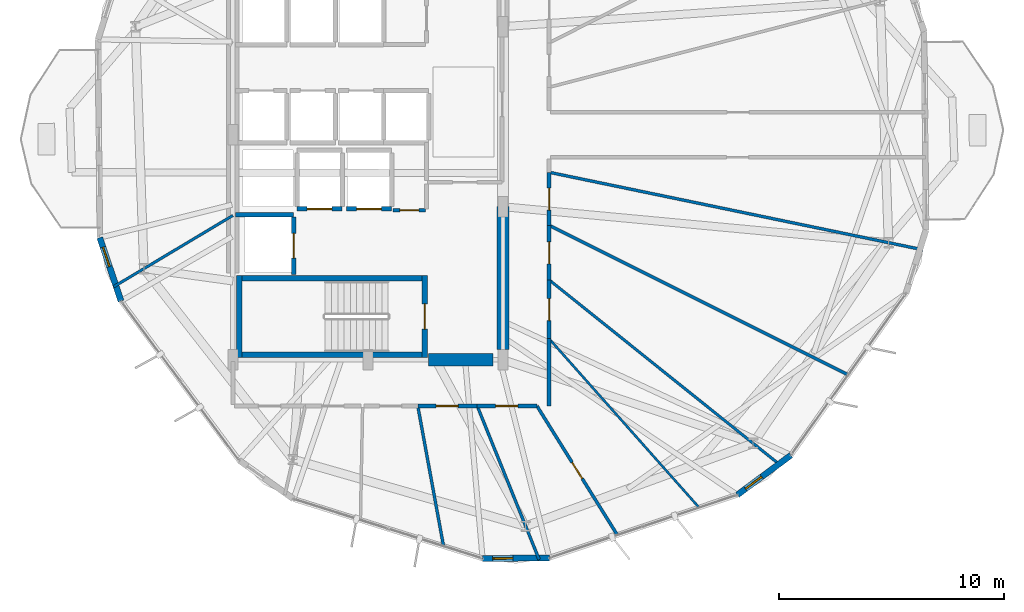
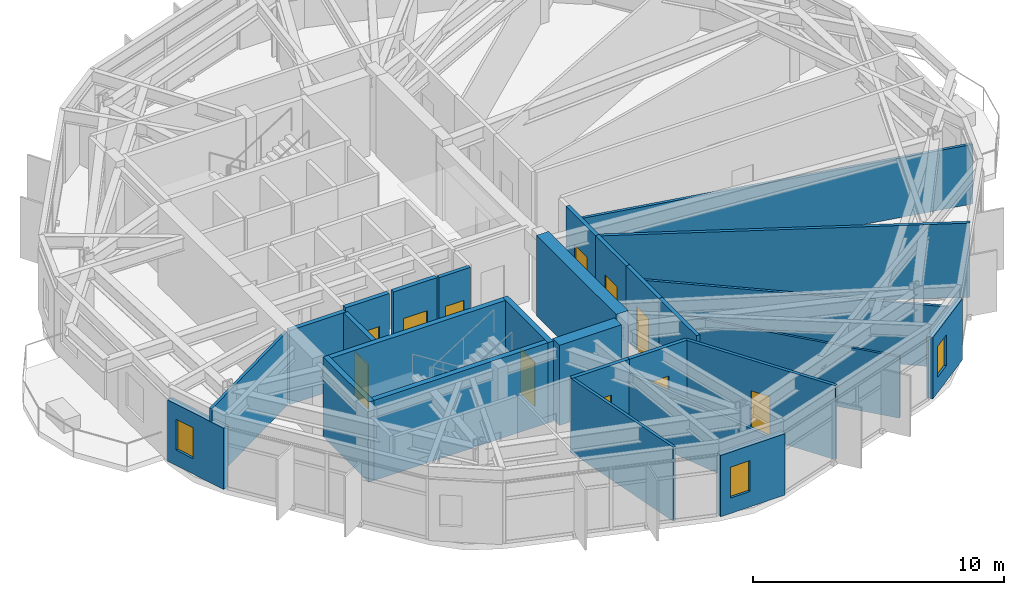
# One storey, part 21 of 27: 28 walls, 11 doors, 3 windows, 14 openings.
"""IFC4 building model written with IfcOpenShell, lengths in metres."""

from ifc_helpers import new_model, si_unit, direction, frame, frame_2d, origin, place, context, subcontext, project, spatial, rectangle, extrude, material, layer, layer_set, type_object, element, fill, save


model = new_model("IFC4")

# Units and contexts
model_context = context("Model", 3, precision=1e-05, world=origin(), true_north=direction((0.0, 1.0)))
body_context = subcontext(model_context, "Body", "Model", "MODEL_VIEW")
ifc_project = project(units=[si_unit("LENGTHUNIT", "METRE"), si_unit("AREAUNIT", "SQUARE_METRE"), si_unit("VOLUMEUNIT", "CUBIC_METRE"), si_unit("PLANEANGLEUNIT", "RADIAN"), si_unit("MASSUNIT", "GRAM", prefix="KILO")], contexts=[model_context])

# Site, building, storey
site_placement = place(None, origin())
site = spatial("IfcSite", under=ifc_project, at=site_placement, CompositionType="ELEMENT")
building_placement = place(site_placement, origin())
building = spatial("IfcBuilding", under=site, at=building_placement, Name="Soratama Intermodal Tower", CompositionType="ELEMENT")
storey_placement = place(building_placement, frame((0.0, 0.0, 103.0)))
storey = spatial("IfcBuildingStorey", under=building, at=storey_placement, Name="L24", CompositionType="ELEMENT", Elevation=103.0)

# Wall, opening, window
ifc_material_1 = material(Name="Concrete f'c 42 MPa", Category="concrete")
ifc_layer_1 = layer(ifc_material_1, 0.27001953125)
ifc_layer_set_1 = layer_set([ifc_layer_1], Name="Concrete f'c 42 MPa")
wall_type_1 = type_object("IfcWallType", Name="EW-CRN-270", PredefinedType="SOLIDWALL", material=ifc_layer_set_1)
wall_1_placement = place(storey_placement, frame((26.6904296875, 20.424072265625, 0.0), z_axis=(0.0, 0.0, 1.0), x_axis=(0.317980066672, -0.948097398583, 0.0)))
wall_1 = element("IfcWall", 1, at=wall_1_placement, inside=storey, type_object=wall_type_1, Name="L24 Corner Closure Wall 05", PredefinedType="SOLIDWALL", context=body_context, shape_type="SweptSolid", body=[
    extrude(rectangle(XDim=2.966796875, YDim=0.27001953125, at=frame_2d((1.4833984375, 0.0))), origin(), (0.0, 0.0, 1.0), 2.97900390625),
])
opening_1_placement = place(wall_1_placement, frame((0.449951171875, 0.0, 0.75)))
opening_1 = element("IfcOpeningElement", 2, at=opening_1_placement, cuts=wall_1, Name="Opening WN-6", PredefinedType="OPENING", context=body_context, shape_type="SweptSolid", body=[
    extrude(rectangle(XDim=0.89990234375, YDim=1.5, at=frame_2d((0.449951171875, 0.75))), frame((0.0, 0.14501953125, 0.0), z_axis=(0.0, -1.0, 0.0), x_axis=(1.0, 0.0, 0.0)), (0.0, 0.0, 1.0), 0.2900390625),
])
ifc_material_2 = material(Name="Double-glazed aluminium window", Category="aluminium")
window_type = type_object("IfcWindowType", Name="WN-FAC-900", PartitioningType="SINGLE_PANEL", PredefinedType="WINDOW", material=ifc_material_2)
window_1_placement = place(opening_1_placement, origin())
window_1 = element("IfcWindow", 3, at=window_1_placement, inside=storey, type_object=window_type, Name="L24 Corner Window 05", OverallHeight=1.5, OverallWidth=0.89990234375, PartitioningType="SINGLE_PANEL", PredefinedType="WINDOW", context=body_context, shape_type="SweptSolid", body=[
    extrude(rectangle(XDim=0.89990234375, YDim=1.5, at=frame_2d((0.449951171875, 0.75))), frame((0.0, 0.030029296875, 0.0), z_axis=(0.0, -1.0, 0.0), x_axis=(1.0, 0.0, 0.0)), (0.0, 0.0, 1.0), 0.06005859375),
])
fill(opening_1, window_1)

wall_2_placement = place(storey_placement, frame((43.694091796875, 6.172607421875, 0.0), z_axis=(0.0, 0.0, 1.0), x_axis=(0.999955985226, 0.009382303071, 0.0)))
wall_2 = element("IfcWall", 4, at=wall_2_placement, inside=storey, type_object=wall_type_1, Name="L24 Corner Closure Wall 07", PredefinedType="SOLIDWALL", context=body_context, shape_type="SweptSolid", body=[
    extrude(rectangle(XDim=2.966552734375, YDim=0.27001953125, at=frame_2d((1.4833984375, 0.0))), origin(), (0.0, 0.0, 1.0), 2.97900390625),
])
opening_2_placement = place(wall_2_placement, frame((0.449951171875, 0.0, 0.75)))
opening_2 = element("IfcOpeningElement", 5, at=opening_2_placement, cuts=wall_2, Name="Opening WN-6", PredefinedType="OPENING", context=body_context, shape_type="SweptSolid", body=[
    extrude(rectangle(XDim=0.89990234375, YDim=1.5, at=frame_2d((0.449951171875, 0.75))), frame((0.0, 0.14501953125, 0.0), z_axis=(0.0, -1.0, 0.0), x_axis=(1.0, 0.0, 0.0)), (0.0, 0.0, 1.0), 0.2900390625),
])
window_2_placement = place(opening_2_placement, origin())
window_2 = element("IfcWindow", 6, at=window_2_placement, inside=storey, type_object=window_type, Name="L24 Corner Window 07", OverallHeight=1.5, OverallWidth=0.89990234375, PartitioningType="SINGLE_PANEL", PredefinedType="WINDOW", context=body_context, shape_type="SweptSolid", body=[
    extrude(rectangle(XDim=0.89990234375, YDim=1.5, at=frame_2d((0.449951171875, 0.75))), frame((0.0, 0.030029296875, 0.0), z_axis=(0.0, -1.0, 0.0), x_axis=(1.0, 0.0, 0.0)), (0.0, 0.0, 1.0), 0.06005859375),
])
fill(opening_2, window_2)

wall_3_placement = place(storey_placement, frame((55.010009765625, 9.00048828125, 0.0), z_axis=(0.0, 0.0, 1.0), x_axis=(0.803433261612, 0.595394822059, 0.0)))
wall_3 = element("IfcWall", 7, at=wall_3_placement, inside=storey, type_object=wall_type_1, Name="L24 Corner Closure Wall 08", PredefinedType="SOLIDWALL", context=body_context, shape_type="SweptSolid", body=[
    extrude(rectangle(XDim=2.966796875, YDim=0.27001953125, at=frame_2d((1.4833984375, 0.0))), origin(), (0.0, 0.0, 1.0), 2.97900390625),
])
opening_3_placement = place(wall_3_placement, frame((0.449951171875, 0.0, 0.75)))
opening_3 = element("IfcOpeningElement", 8, at=opening_3_placement, cuts=wall_3, Name="Opening WN-6", PredefinedType="OPENING", context=body_context, shape_type="SweptSolid", body=[
    extrude(rectangle(XDim=0.89990234375, YDim=1.5, at=frame_2d((0.449951171875, 0.75))), frame((0.0, 0.14501953125, 0.0), z_axis=(0.0, -1.0, 0.0), x_axis=(1.0, 0.0, 0.0)), (0.0, 0.0, 1.0), 0.2900390625),
])
window_3_placement = place(opening_3_placement, origin())
window_3 = element("IfcWindow", 9, at=window_3_placement, inside=storey, type_object=window_type, Name="L24 Corner Window 08", OverallHeight=1.5, OverallWidth=0.89990234375, PartitioningType="SINGLE_PANEL", PredefinedType="WINDOW", context=body_context, shape_type="SweptSolid", body=[
    extrude(rectangle(XDim=0.89990234375, YDim=1.5, at=frame_2d((0.449951171875, 0.75))), frame((0.0, 0.030029296875, 0.0), z_axis=(0.0, -1.0, 0.0), x_axis=(1.0, 0.0, 0.0)), (0.0, 0.0, 1.0), 0.06005859375),
])
fill(opening_3, window_3)

# Wall, opening, door
ifc_material_3 = material(Name="Fire-rated gypsum stud partition", Category="concrete")
ifc_layer_2 = layer(ifc_material_3, 0.169921875)
ifc_layer_set_2 = layer_set([ifc_layer_2], Name="Fire-rated gypsum stud partition")
wall_type_2 = type_object("IfcWallType", Name="IW-PART-R170", PredefinedType="PARTITIONING", material=ifc_layer_set_2)
wall_4_placement = place(storey_placement, frame((46.10791015625, 12.949951171875, 0.0), z_axis=(0.0, 0.0, 1.0), x_axis=(-1.0, 0.0, 0.0)))
wall_4 = element("IfcWall", 10, at=wall_4_placement, inside=storey, type_object=wall_type_2, Name="L24 Partition W-L24-TP026", PredefinedType="PARTITIONING", context=body_context, shape_type="SweptSolid", body=[
    extrude(rectangle(XDim=2.65283203125, YDim=0.169921875, at=frame_2d((1.326416015625, 0.0))), origin(), (0.0, 0.0, 1.0), 3.60009765625),
])
opening_4_placement = place(wall_4_placement, frame((0.85107421875, 0.0, 0.0)))
opening_4 = element("IfcOpeningElement", 11, at=opening_4_placement, cuts=wall_4, Name="Opening ID-5", PredefinedType="OPENING", context=body_context, shape_type="SweptSolid", body=[
    extrude(rectangle(XDim=0.97998046875, YDim=2.14990234375, at=frame_2d((0.489990234375, 1.074951171875))), frame((0.0, 0.094970703125, 0.0), z_axis=(0.0, -1.0, 0.0), x_axis=(1.0, 0.0, 0.0)), (0.0, 0.0, 1.0), 0.18994140625),
])
ifc_material_4 = material(Name="Solid hardwood acoustic door", Category="wood")
door_type_1 = type_object("IfcDoorType", Name="DR-OFF-980", OperationType="NOTDEFINED", PredefinedType="DOOR", material=ifc_material_4)
door_1_placement = place(opening_4_placement, origin())
door_1 = element("IfcDoor", 12, at=door_1_placement, inside=storey, type_object=door_type_1, Name="L24 Door D-L24-TP010", OperationType="SINGLE_SWING_LEFT", OverallHeight=2.14990234375, OverallWidth=0.97998046875, PredefinedType="DOOR", context=body_context, shape_type="SweptSolid", body=[
    extrude(rectangle(XDim=0.97998046875, YDim=2.14990234375, at=frame_2d((0.489990234375, 1.074951171875))), frame((0.0, 0.02490234375, 0.0), z_axis=(0.0, -1.0, 0.0), x_axis=(1.0, 0.0, 0.0)), (0.0, 0.0, 1.0), 0.050048828125),
])
fill(opening_4, door_1)

wall_5_placement = place(storey_placement, frame((43.455078125, 12.949951171875, 0.0), z_axis=(0.0, 0.0, 1.0), x_axis=(-1.0, 0.0, 0.0)))
wall_5 = element("IfcWall", 13, at=wall_5_placement, inside=storey, type_object=wall_type_2, Name="L24 Partition W-L24-TP027", PredefinedType="PARTITIONING", context=body_context, shape_type="SweptSolid", body=[
    extrude(rectangle(XDim=2.64013671875, YDim=0.169921875, at=frame_2d((1.320068359375, 0.0))), origin(), (0.0, 0.0, 1.0), 3.60009765625),
])
opening_5_placement = place(wall_5_placement, frame((0.844970703125, 0.0, 0.0)))
opening_5 = element("IfcOpeningElement", 14, at=opening_5_placement, cuts=wall_5, Name="Opening ID-5", PredefinedType="OPENING", context=body_context, shape_type="SweptSolid", body=[
    extrude(rectangle(XDim=0.97998046875, YDim=2.14990234375, at=frame_2d((0.489990234375, 1.074951171875))), frame((0.0, 0.094970703125, 0.0), z_axis=(0.0, -1.0, 0.0), x_axis=(1.0, 0.0, 0.0)), (0.0, 0.0, 1.0), 0.18994140625),
])
door_2_placement = place(opening_5_placement, origin())
door_2 = element("IfcDoor", 15, at=door_2_placement, inside=storey, type_object=door_type_1, Name="L24 Door D-L24-TP011", OperationType="SINGLE_SWING_RIGHT", OverallHeight=2.14990234375, OverallWidth=0.97998046875, PredefinedType="DOOR", context=body_context, shape_type="SweptSolid", body=[
    extrude(rectangle(XDim=0.97998046875, YDim=2.14990234375, at=frame_2d((0.489990234375, 1.074951171875))), frame((0.0, 0.02490234375, 0.0), z_axis=(0.0, -1.0, 0.0), x_axis=(1.0, 0.0, 0.0)), (0.0, 0.0, 1.0), 0.050048828125),
])
fill(opening_5, door_2)

wall_6_placement = place(storey_placement, frame((46.64990234375, 18.550048828125, 0.0), z_axis=(0.0, 0.0, 1.0), x_axis=(0.0, -1.0, 0.0)))
wall_6 = element("IfcWall", 16, at=wall_6_placement, inside=storey, type_object=wall_type_2, Name="L24 Partition W-L24-TP028", PredefinedType="PARTITIONING", context=body_context, shape_type="SweptSolid", body=[
    extrude(rectangle(XDim=2.614013671875, YDim=0.169921875, at=frame_2d((1.30712890625, 0.0))), origin(), (0.0, 0.0, 1.0), 3.60009765625),
])
opening_6_placement = place(wall_6_placement, frame((0.83203125, 0.0, 0.0)))
opening_6 = element("IfcOpeningElement", 17, at=opening_6_placement, cuts=wall_6, Name="Opening ID-5", PredefinedType="OPENING", context=body_context, shape_type="SweptSolid", body=[
    extrude(rectangle(XDim=0.97998046875, YDim=2.14990234375, at=frame_2d((0.489990234375, 1.074951171875))), frame((0.0, 0.094970703125, 0.0), z_axis=(0.0, -1.0, 0.0), x_axis=(1.0, 0.0, 0.0)), (0.0, 0.0, 1.0), 0.18994140625),
])
door_3_placement = place(opening_6_placement, origin())
door_3 = element("IfcDoor", 18, at=door_3_placement, inside=storey, type_object=door_type_1, Name="L24 Door D-L24-TP012", OperationType="SINGLE_SWING_LEFT", OverallHeight=2.14990234375, OverallWidth=0.97998046875, PredefinedType="DOOR", context=body_context, shape_type="SweptSolid", body=[
    extrude(rectangle(XDim=0.97998046875, YDim=2.14990234375, at=frame_2d((0.489990234375, 1.074951171875))), frame((0.0, 0.02490234375, 0.0), z_axis=(0.0, -1.0, 0.0), x_axis=(1.0, 0.0, 0.0)), (0.0, 0.0, 1.0), 0.050048828125),
])
fill(opening_6, door_3)

wall_7_placement = place(storey_placement, frame((46.64990234375, 20.97509765625, 0.0), z_axis=(0.0, 0.0, 1.0), x_axis=(0.0, -1.0, 0.0)))
wall_7 = element("IfcWall", 19, at=wall_7_placement, inside=storey, type_object=wall_type_2, Name="L24 Partition W-L24-TP030", PredefinedType="PARTITIONING", context=body_context, shape_type="SweptSolid", body=[
    extrude(rectangle(XDim=2.425048828125, YDim=0.169921875, at=frame_2d((1.21240234375, 0.0))), origin(), (0.0, 0.0, 1.0), 3.60009765625),
])
opening_7_placement = place(wall_7_placement, frame((0.738037109375, 0.0, 0.0)))
opening_7 = element("IfcOpeningElement", 20, at=opening_7_placement, cuts=wall_7, Name="Opening ID-5", PredefinedType="OPENING", context=body_context, shape_type="SweptSolid", body=[
    extrude(rectangle(XDim=0.97998046875, YDim=2.14990234375, at=frame_2d((0.489990234375, 1.074951171875))), frame((0.0, 0.094970703125, 0.0), z_axis=(0.0, -1.0, 0.0), x_axis=(1.0, 0.0, 0.0)), (0.0, 0.0, 1.0), 0.18994140625),
])
door_4_placement = place(opening_7_placement, origin())
door_4 = element("IfcDoor", 21, at=door_4_placement, inside=storey, type_object=door_type_1, Name="L24 Door D-L24-TP014", OperationType="SINGLE_SWING_LEFT", OverallHeight=2.14990234375, OverallWidth=0.97998046875, PredefinedType="DOOR", context=body_context, shape_type="SweptSolid", body=[
    extrude(rectangle(XDim=0.97998046875, YDim=2.14990234375, at=frame_2d((0.489990234375, 1.074951171875))), frame((0.0, 0.02490234375, 0.0), z_axis=(0.0, -1.0, 0.0), x_axis=(1.0, 0.0, 0.0)), (0.0, 0.0, 1.0), 0.050048828125),
])
fill(opening_7, door_4)

wall_8_placement = place(storey_placement, frame((46.64990234375, 23.330078125, 0.0), z_axis=(0.0, 0.0, 1.0), x_axis=(0.0, -1.0, 0.0)))
wall_8 = element("IfcWall", 22, at=wall_8_placement, inside=storey, type_object=wall_type_2, Name="L24 Partition W-L24-TP032", PredefinedType="PARTITIONING", context=body_context, shape_type="SweptSolid", body=[
    extrude(rectangle(XDim=2.35498046875, YDim=0.169921875, at=frame_2d((1.177490234375, 0.0))), origin(), (0.0, 0.0, 1.0), 3.60009765625),
])
opening_8_placement = place(wall_8_placement, frame((0.701904296875, 0.0, 0.0)))
opening_8 = element("IfcOpeningElement", 23, at=opening_8_placement, cuts=wall_8, Name="Opening ID-5", PredefinedType="OPENING", context=body_context, shape_type="SweptSolid", body=[
    extrude(rectangle(XDim=0.97998046875, YDim=2.14990234375, at=frame_2d((0.489990234375, 1.074951171875))), frame((0.0, 0.094970703125, 0.0), z_axis=(0.0, -1.0, 0.0), x_axis=(1.0, 0.0, 0.0)), (0.0, 0.0, 1.0), 0.18994140625),
])
door_5_placement = place(opening_8_placement, origin())
door_5 = element("IfcDoor", 24, at=door_5_placement, inside=storey, type_object=door_type_1, Name="L24 Door D-L24-TP016", OperationType="SINGLE_SWING_LEFT", OverallHeight=2.14990234375, OverallWidth=0.97998046875, PredefinedType="DOOR", context=body_context, shape_type="SweptSolid", body=[
    extrude(rectangle(XDim=0.97998046875, YDim=2.14990234375, at=frame_2d((0.489990234375, 1.074951171875))), frame((0.0, 0.02490234375, 0.0), z_axis=(0.0, -1.0, 0.0), x_axis=(1.0, 0.0, 0.0)), (0.0, 0.0, 1.0), 0.050048828125),
])
fill(opening_8, door_5)

wall_9_placement = place(storey_placement, frame((39.719970703125, 21.639892578125, 0.0), z_axis=(0.0, 0.0, 1.0), x_axis=(1.0, 0.0, 0.0)))
wall_9 = element("IfcWall", 25, at=wall_9_placement, inside=storey, type_object=wall_type_2, Name="L24 Partition W-L24-TP040", PredefinedType="PARTITIONING", context=body_context, shape_type="SweptSolid", body=[
    extrude(rectangle(XDim=1.43994140625, YDim=0.169921875, at=frame_2d((0.719970703125, 0.0))), origin(), (0.0, 0.0, 1.0), 3.60009765625),
])
opening_9_placement = place(wall_9_placement, frame((0.294921875, 0.0, 0.0)))
opening_9 = element("IfcOpeningElement", 26, at=opening_9_placement, cuts=wall_9, Name="Opening ID-4", PredefinedType="OPENING", context=body_context, shape_type="SweptSolid", body=[
    extrude(rectangle(XDim=0.85009765625, YDim=2.10009765625, at=frame_2d((0.425048828125, 1.050048828125))), frame((0.0, 0.094970703125, 0.0), z_axis=(0.0, -1.0, 0.0), x_axis=(1.0, 0.0, 0.0)), (0.0, 0.0, 1.0), 0.18994140625),
])
ifc_material_5 = material(Name="Solid hardwood acoustic door", Category="wood")
door_type_2 = type_object("IfcDoorType", Name="DR-BATH-850", OperationType="NOTDEFINED", PredefinedType="DOOR", material=ifc_material_5)
door_6_placement = place(opening_9_placement, origin())
door_6 = element("IfcDoor", 27, at=door_6_placement, inside=storey, type_object=door_type_2, Name="L24 Door D-L24-TP020", OperationType="SINGLE_SWING_LEFT", OverallHeight=2.10009765625, OverallWidth=0.85009765625, PredefinedType="DOOR", context=body_context, shape_type="SweptSolid", body=[
    extrude(rectangle(XDim=0.85009765625, YDim=2.10009765625, at=frame_2d((0.425048828125, 1.050048828125))), frame((0.0, 0.02490234375, 0.0), z_axis=(0.0, -1.0, 0.0), x_axis=(1.0, 0.0, 0.0)), (0.0, 0.0, 1.0), 0.050048828125),
])
fill(opening_9, door_6)

# Walls
wall_10_placement = place(storey_placement, frame((46.64990234375, 15.93603515625, 0.0), z_axis=(0.0, 0.0, 1.0), x_axis=(0.0, -1.0, 0.0)))
element("IfcWall", 28, at=wall_10_placement, inside=storey, type_object=wall_type_2, Name="L24 Partition W-L24-TP044", PredefinedType="PARTITIONING", context=body_context, shape_type="SweptSolid", body=[
    extrude(rectangle(XDim=2.986083984375, YDim=0.169921875, at=frame_2d((1.4931640625, 0.0))), origin(), (0.0, 0.0, 1.0), 3.60009765625),
])
ifc_material_6 = material(Name="Fire-rated gypsum stud partition", Category="concrete")
ifc_layer_3 = layer(ifc_material_6, 0.10009765625)
ifc_layer_set_3 = layer_set([ifc_layer_3], Name="Fire-rated gypsum stud partition")
wall_type_3 = type_object("IfcWallType", Name="IW-PART-S100", PredefinedType="PARTITIONING", material=ifc_layer_set_3)
wall_11_placement = place(storey_placement, frame((46.64990234375, 15.93603515625, 0.0), z_axis=(0.0, 0.0, 1.0), x_axis=(0.664067862616, -0.747672303781, 0.0)))
element("IfcWall", 29, at=wall_11_placement, inside=storey, type_object=wall_type_3, Name="L24 Partition W-L24-TP009", PredefinedType="PARTITIONING", context=body_context, shape_type="SweptSolid", body=[
    extrude(rectangle(XDim=10.03662109375, YDim=0.10009765625, at=frame_2d((5.018310546875, 0.0))), origin(), (0.0, 0.0, 1.0), 2.97802734375),
])
ifc_material_7 = material(Name="Fire-rated gypsum stud partition", Category="concrete")
ifc_layer_4 = layer(ifc_material_7, 0.1201171875)
ifc_layer_set_4 = layer_set([ifc_layer_4], Name="Fire-rated gypsum stud partition")
wall_type_4 = type_object("IfcWallType", Name="IW-PART-S120", PredefinedType="PARTITIONING", material=ifc_layer_set_4)
wall_12_placement = place(storey_placement, frame((46.64990234375, 18.550048828125, 0.0), z_axis=(0.0, 0.0, 1.0), x_axis=(0.780384466618, -0.625299995412, 0.0)))
element("IfcWall", 30, at=wall_12_placement, inside=storey, type_object=wall_type_4, Name="L24 Partition W-L24-TP007", PredefinedType="PARTITIONING", context=body_context, shape_type="SweptSolid", body=[
    extrude(rectangle(XDim=13.185791015625, YDim=0.1201171875, at=frame_2d((6.5927734375, 0.0))), origin(), (0.0, 0.0, 1.0), 2.97802734375),
])
wall_13_placement = place(storey_placement, frame((32.60009765625, 21.410888671875, 0.0), z_axis=(0.0, 0.0, 1.0), x_axis=(-0.85825649037, -0.513221001848, 0.0)))
element("IfcWall", 31, at=wall_13_placement, inside=storey, type_object=wall_type_4, Name="L24 Partition W-L24-TP017", PredefinedType="PARTITIONING", context=body_context, shape_type="SweptSolid", body=[
    extrude(rectangle(XDim=6.1708984375, YDim=0.1201171875, at=frame_2d((3.08544921875, 0.0))), origin(), (0.0, 0.0, 1.0), 3.60009765625),
])
ifc_material_8 = material(Name="Fire-rated gypsum stud partition", Category="concrete")
ifc_layer_5 = layer(ifc_material_8, 0.1298828125)
ifc_layer_set_5 = layer_set([ifc_layer_5], Name="Fire-rated gypsum stud partition")
wall_type_5 = type_object("IfcWallType", Name="IW-PART-S130", PredefinedType="PARTITIONING", material=ifc_layer_set_5)
wall_14_placement = place(storey_placement, frame((46.64990234375, 23.330078125, 0.0), z_axis=(0.0, 0.0, 1.0), x_axis=(0.979163326669, -0.203074320649, 0.0)))
element("IfcWall", 32, at=wall_14_placement, inside=storey, type_object=wall_type_5, Name="L24 Partition W-L24-TP001", PredefinedType="PARTITIONING", context=body_context, shape_type="SweptSolid", body=[
    extrude(rectangle(XDim=16.964599609375, YDim=0.1298828125, at=frame_2d((8.482421875, 0.0))), origin(), (0.0, 0.0, 1.0), 2.89501953125),
])
wall_15_placement = place(storey_placement, frame((43.455078125, 12.949951171875, 0.0), z_axis=(0.0, 0.0, 1.0), x_axis=(0.373917251642, -0.927462068725, 0.0)))
element("IfcWall", 33, at=wall_15_placement, inside=storey, type_object=wall_type_5, Name="L24 Partition W-L24-TP011", PredefinedType="PARTITIONING", context=body_context, shape_type="SweptSolid", body=[
    extrude(rectangle(XDim=7.35986328125, YDim=0.1298828125, at=frame_2d((3.679931640625, 0.0))), origin(), (0.0, 0.0, 1.0), 2.89501953125),
])
wall_16_placement = place(storey_placement, frame((40.81494140625, 12.949951171875, 0.0), z_axis=(0.0, 0.0, 1.0), x_axis=(0.180709331702, -0.98353654606, 0.0)))
element("IfcWall", 34, at=wall_16_placement, inside=storey, type_object=wall_type_5, Name="L24 Partition W-L24-TP016", PredefinedType="PARTITIONING", context=body_context, shape_type="SweptSolid", body=[
    extrude(rectangle(XDim=6.336181640625, YDim=0.1298828125, at=frame_2d((3.16796875, 0.0))), origin(), (0.0, 0.0, 1.0), 3.60009765625),
])
ifc_material_9 = material(Name="Fire-rated gypsum stud partition", Category="concrete")
ifc_layer_6 = layer(ifc_material_9, 0.139892578125)
ifc_layer_set_6 = layer_set([ifc_layer_6], Name="Fire-rated gypsum stud partition")
wall_type_6 = type_object("IfcWallType", Name="IW-PART-S140", PredefinedType="PARTITIONING", material=ifc_layer_set_6)
wall_17_placement = place(storey_placement, frame((46.64990234375, 20.97509765625, 0.0), z_axis=(0.0, 0.0, 1.0), x_axis=(0.894492933533, -0.447082086266, 0.0)))
element("IfcWall", 35, at=wall_17_placement, inside=storey, type_object=wall_type_6, Name="L24 Partition W-L24-TP005", PredefinedType="PARTITIONING", context=body_context, shape_type="SweptSolid", body=[
    extrude(rectangle(XDim=14.85205078125, YDim=0.139892578125, at=frame_2d((7.426025390625, 0.0))), origin(), (0.0, 0.0, 1.0), 3.60009765625),
])

# Wall, opening, door
wall_18_placement = place(storey_placement, frame((46.10791015625, 12.949951171875, 0.0), z_axis=(0.0, 0.0, 1.0), x_axis=(0.528835943062, -0.848724069015, 0.0)))
wall_18 = element("IfcWall", 36, at=wall_18_placement, inside=storey, type_object=wall_type_6, Name="L24 Partition W-L24-TP015", PredefinedType="PARTITIONING", context=body_context, shape_type="SweptSolid", body=[
    extrude(rectangle(XDim=6.75830078125, YDim=0.139892578125, at=frame_2d((3.379150390625, 0.0))), origin(), (0.0, 0.0, 1.0), 3.60009765625),
])
opening_10_placement = place(wall_18_placement, frame((2.9541015625, 0.0, 0.0)))
opening_10 = element("IfcOpeningElement", 37, at=opening_10_placement, cuts=wall_18, Name="Opening ID-4", PredefinedType="OPENING", context=body_context, shape_type="SweptSolid", body=[
    extrude(rectangle(XDim=0.85009765625, YDim=2.10009765625, at=frame_2d((0.425048828125, 1.050048828125))), frame((0.0, 0.079833984375, 0.0), z_axis=(0.0, -1.0, 0.0), x_axis=(1.0, 0.0, 0.0)), (0.0, 0.0, 1.0), 0.159912109375),
])
door_7_placement = place(opening_10_placement, origin())
door_7 = element("IfcDoor", 38, at=door_7_placement, inside=storey, type_object=door_type_2, Name="L24 Door D-L24-TP021", OperationType="SINGLE_SWING_LEFT", OverallHeight=2.10009765625, OverallWidth=0.85009765625, PredefinedType="DOOR", context=body_context, shape_type="SweptSolid", body=[
    extrude(rectangle(XDim=0.85009765625, YDim=2.10009765625, at=frame_2d((0.425048828125, 1.050048828125))), frame((0.0, 0.02490234375, 0.0), z_axis=(0.0, -1.0, 0.0), x_axis=(1.0, 0.0, 0.0)), (0.0, 0.0, 1.0), 0.050048828125),
])
fill(opening_10, door_7)

ifc_material_10 = material(Name="Concrete f'c 42 MPa", Category="concrete")
ifc_layer_7 = layer(ifc_material_10, 0.199951171875)
ifc_layer_set_7 = layer_set([ifc_layer_7], Name="Concrete f'c 42 MPa")
wall_type_7 = type_object("IfcWallType", Name="IW-SHAFT-200", PredefinedType="SOLIDWALL", material=ifc_layer_set_7)
wall_19_placement = place(storey_placement, frame((35.449951171875, 21.699951171875, 0.0), z_axis=(0.0, 0.0, 1.0), x_axis=(1.0, 0.0, 0.0)))
wall_19 = element("IfcWall", 39, at=wall_19_placement, inside=storey, type_object=wall_type_7, Name="L24 FFL-1 Hoistway Wall S", PredefinedType="SOLIDWALL", context=body_context, shape_type="SweptSolid", body=[
    extrude(rectangle(XDim=2.0, YDim=0.199951171875, at=frame_2d((1.0, 0.0))), origin(), (0.0, 0.0, 1.0), 3.60009765625),
])
opening_11_placement = place(wall_19_placement, frame((0.449951171875, 0.0, 0.0)))
opening_11 = element("IfcOpeningElement", 40, at=opening_11_placement, cuts=wall_19, Name="Opening LD-1", PredefinedType="OPENING", context=body_context, shape_type="SweptSolid", body=[
    extrude(rectangle(XDim=1.10009765625, YDim=2.14990234375, at=frame_2d((0.550048828125, 1.074951171875))), frame((0.0, 0.10986328125, 0.0), z_axis=(0.0, -1.0, 0.0), x_axis=(1.0, 0.0, 0.0)), (0.0, 0.0, 1.0), 0.219970703125),
])
ifc_material_11 = material(Name="Steel fire door", Category="steel")
door_type_3 = type_object("IfcDoorType", Name="DR-LIFT-SLIDE", OperationType="NOTDEFINED", PredefinedType="DOOR", material=ifc_material_11)
door_8_placement = place(opening_11_placement, origin())
door_8 = element("IfcDoor", 41, at=door_8_placement, inside=storey, type_object=door_type_3, Name="L24 FFL-1 Sliding Landing Door", OperationType="SLIDING_TO_LEFT", OverallHeight=2.14990234375, OverallWidth=1.10009765625, PredefinedType="DOOR", context=body_context, shape_type="SweptSolid", body=[
    extrude(rectangle(XDim=1.10009765625, YDim=2.14990234375, at=frame_2d((0.550048828125, 1.074951171875))), frame((0.0, 0.02490234375, 0.0), z_axis=(0.0, -1.0, 0.0), x_axis=(1.0, 0.0, 0.0)), (0.0, 0.0, 1.0), 0.050048828125),
])
fill(opening_11, door_8)

wall_20_placement = place(storey_placement, frame((37.64990234375, 21.699951171875, 0.0), z_axis=(0.0, 0.0, 1.0), x_axis=(1.0, 0.0, 0.0)))
wall_20 = element("IfcWall", 42, at=wall_20_placement, inside=storey, type_object=wall_type_7, Name="L24 FFL-2 Hoistway Wall S", PredefinedType="SOLIDWALL", context=body_context, shape_type="SweptSolid", body=[
    extrude(rectangle(XDim=2.0, YDim=0.199951171875, at=frame_2d((1.0, 0.0))), origin(), (0.0, 0.0, 1.0), 3.60009765625),
])
opening_12_placement = place(wall_20_placement, frame((0.449951171875, 0.0, 0.0)))
opening_12 = element("IfcOpeningElement", 43, at=opening_12_placement, cuts=wall_20, Name="Opening LD-1", PredefinedType="OPENING", context=body_context, shape_type="SweptSolid", body=[
    extrude(rectangle(XDim=1.10009765625, YDim=2.14990234375, at=frame_2d((0.550048828125, 1.074951171875))), frame((0.0, 0.10986328125, 0.0), z_axis=(0.0, -1.0, 0.0), x_axis=(1.0, 0.0, 0.0)), (0.0, 0.0, 1.0), 0.219970703125),
])
door_9_placement = place(opening_12_placement, origin())
door_9 = element("IfcDoor", 44, at=door_9_placement, inside=storey, type_object=door_type_3, Name="L24 FFL-2 Sliding Landing Door", OperationType="SLIDING_TO_LEFT", OverallHeight=2.14990234375, OverallWidth=1.10009765625, PredefinedType="DOOR", context=body_context, shape_type="SweptSolid", body=[
    extrude(rectangle(XDim=1.10009765625, YDim=2.14990234375, at=frame_2d((0.550048828125, 1.074951171875))), frame((0.0, 0.02490234375, 0.0), z_axis=(0.0, -1.0, 0.0), x_axis=(1.0, 0.0, 0.0)), (0.0, 0.0, 1.0), 0.050048828125),
])
fill(opening_12, door_9)

# Wall
wall_21_placement = place(storey_placement, frame((32.719970703125, 21.449951171875, 0.0), z_axis=(0.0, 0.0, 1.0), x_axis=(1.0, 0.0, 0.0)))
element("IfcWall", 45, at=wall_21_placement, inside=storey, type_object=wall_type_7, Name="L24 SVL-1 Hoistway Wall N", PredefinedType="SOLIDWALL", context=body_context, shape_type="SweptSolid", body=[
    extrude(rectangle(XDim=2.580078125, YDim=0.199951171875, at=frame_2d((1.2900390625, 0.0))), origin(), (0.0, 0.0, 1.0), 3.60009765625),
])

# Wall, opening, door
wall_22_placement = place(storey_placement, frame((35.300048828125, 18.7900390625, 0.0), z_axis=(0.0, 0.0, 1.0), x_axis=(0.0, 1.0, 0.0)))
wall_22 = element("IfcWall", 46, at=wall_22_placement, inside=storey, type_object=wall_type_7, Name="L24 SVL-1 Hoistway Wall E", PredefinedType="SOLIDWALL", context=body_context, shape_type="SweptSolid", body=[
    extrude(rectangle(XDim=2.550048828125, YDim=0.199951171875, at=frame_2d((1.27490234375, 0.0))), origin(), (0.0, 0.0, 1.0), 3.60009765625),
])
opening_13_placement = place(wall_22_placement, frame((0.72509765625, 0.0, 0.0)))
opening_13 = element("IfcOpeningElement", 47, at=opening_13_placement, cuts=wall_22, Name="Opening LD-1", PredefinedType="OPENING", context=body_context, shape_type="SweptSolid", body=[
    extrude(rectangle(XDim=1.10009765625, YDim=2.14990234375, at=frame_2d((0.550048828125, 1.074951171875))), frame((0.0, 0.10986328125, 0.0), z_axis=(0.0, -1.0, 0.0), x_axis=(1.0, 0.0, 0.0)), (0.0, 0.0, 1.0), 0.219970703125),
])
door_10_placement = place(opening_13_placement, origin())
door_10 = element("IfcDoor", 48, at=door_10_placement, inside=storey, type_object=door_type_3, Name="L24 SVL-1 Sliding Landing Door", OperationType="SLIDING_TO_LEFT", OverallHeight=2.14990234375, OverallWidth=1.10009765625, PredefinedType="DOOR", context=body_context, shape_type="SweptSolid", body=[
    extrude(rectangle(XDim=1.10009765625, YDim=2.14990234375, at=frame_2d((0.550048828125, 1.074951171875))), frame((0.0, 0.02490234375, 0.0), z_axis=(0.0, -1.0, 0.0), x_axis=(1.0, 0.0, 0.0)), (0.0, 0.0, 1.0), 0.050048828125),
])
fill(opening_13, door_10)

# Walls
ifc_material_12 = material(Name="Concrete f'c 56 MPa", Category="concrete")
ifc_layer_8 = layer(ifc_material_12, 0.550048828125)
ifc_layer_set_8 = layer_set([ifc_layer_8], Name="Concrete f'c 56 MPa")
wall_type_8 = type_object("IfcWallType", Name="SW-CORE-550", PredefinedType="SHEAR", material=ifc_layer_set_8)
wall_23_placement = place(storey_placement, frame((41.300048828125, 15.0, 0.0), z_axis=(0.0, 0.0, 1.0), x_axis=(1.0, 0.0, 0.0)))
element("IfcWall", 49, at=wall_23_placement, inside=storey, type_object=wall_type_8, Name="L24 Core Shear Wall CW-SE", PredefinedType="SHEAR", context=body_context, shape_type="SweptSolid", body=[
    extrude(rectangle(XDim=2.849853515625, YDim=0.550048828125, at=frame_2d((1.4248046875, 0.0))), origin(), (0.0, 0.0, 1.0), 3.89990234375),
])
wall_24_placement = place(storey_placement, frame((44.60009765625, 15.449951171875, 0.0), z_axis=(0.0, 0.0, 1.0), x_axis=(0.0, 1.0, 0.0)))
element("IfcWall", 50, at=wall_24_placement, inside=storey, type_object=wall_type_8, Name="L24 Core Shear Wall CW-ES", PredefinedType="SHEAR", context=body_context, shape_type="SweptSolid", body=[
    extrude(rectangle(XDim=6.35009765625, YDim=0.550048828125, at=frame_2d((3.175048828125, 0.0))), origin(), (0.0, 0.0, 1.0), 3.89990234375),
])
ifc_material_13 = material(Name="Concrete f'c 56 MPa", Category="concrete")
ifc_layer_9 = layer(ifc_material_13, 0.239990234375)
ifc_layer_set_9 = layer_set([ifc_layer_9], Name="Concrete f'c 56 MPa")
wall_type_9 = type_object("IfcWallType", Name="SW-STAIR-240", PredefinedType="SHEAR", material=ifc_layer_set_9)
wall_25_placement = place(storey_placement, frame((32.8798828125, 15.110107421875, 0.0), z_axis=(0.0, 0.0, 1.0), x_axis=(0.0, 1.0, 0.0)))
element("IfcWall", 51, at=wall_25_placement, inside=storey, type_object=wall_type_9, Name="L24 ST-1 Shaft Shear Wall W", PredefinedType="SHEAR", context=body_context, shape_type="SweptSolid", body=[
    extrude(rectangle(XDim=3.6298828125, YDim=0.239990234375, at=frame_2d((1.81494140625, 0.0))), origin(), (0.0, 0.0, 1.0), 3.89990234375),
])

# Wall, opening, door
wall_26_placement = place(storey_placement, frame((41.1201171875, 15.110107421875, 0.0), z_axis=(0.0, 0.0, 1.0), x_axis=(0.0, 1.0, 0.0)))
wall_26 = element("IfcWall", 52, at=wall_26_placement, inside=storey, type_object=wall_type_9, Name="L24 ST-1 Shaft Shear Wall E", PredefinedType="SHEAR", context=body_context, shape_type="SweptSolid", body=[
    extrude(rectangle(XDim=3.6298828125, YDim=0.239990234375, at=frame_2d((1.81494140625, 0.0))), origin(), (0.0, 0.0, 1.0), 3.89990234375),
])
opening_14_placement = place(wall_26_placement, frame((1.2548828125, 0.0, 0.0)))
opening_14 = element("IfcOpeningElement", 53, at=opening_14_placement, cuts=wall_26, Name="Opening SD-1", PredefinedType="OPENING", context=body_context, shape_type="SweptSolid", body=[
    extrude(rectangle(XDim=1.1201171875, YDim=2.14990234375, at=frame_2d((0.56005859375, 1.074951171875))), frame((0.0, 0.1298828125, 0.0), z_axis=(0.0, -1.0, 0.0), x_axis=(1.0, 0.0, 0.0)), (0.0, 0.0, 1.0), 0.260009765625),
])
ifc_material_14 = material(Name="Steel fire door", Category="steel")
door_type_4 = type_object("IfcDoorType", Name="DR-STAIR-FD90", OperationType="NOTDEFINED", PredefinedType="DOOR", material=ifc_material_14)
door_11_placement = place(opening_14_placement, origin())
door_11 = element("IfcDoor", 54, at=door_11_placement, inside=storey, type_object=door_type_4, Name="L24 ST-1 Exit Stair Door", OperationType="SINGLE_SWING_LEFT", OverallHeight=2.14990234375, OverallWidth=1.1201171875, PredefinedType="DOOR", context=body_context, shape_type="SweptSolid", body=[
    extrude(rectangle(XDim=1.1201171875, YDim=2.14990234375, at=frame_2d((0.56005859375, 1.074951171875))), frame((0.0, 0.02490234375, 0.0), z_axis=(0.0, -1.0, 0.0), x_axis=(1.0, 0.0, 0.0)), (0.0, 0.0, 1.0), 0.050048828125),
])
fill(opening_14, door_11)

# Walls
for number, where, z_axis, x_axis, name in (
    (55, (33.0, 15.22998046875, 0.0), (0.0, 0.0, 1.0), (1.0, 0.0, 0.0), "L24 ST-1 Shaft Shear Wall S"),
    (56, (33.0, 18.6201171875, 0.0), (0.0, 0.0, 1.0), (1.0, 0.0, 0.0), "L24 ST-1 Shaft Shear Wall N"),
):
    element("IfcWall", number, at=place(storey_placement, frame(where, z_axis=z_axis, x_axis=x_axis)), inside=storey, type_object=wall_type_9, Name=name, PredefinedType="SHEAR", context=body_context, shape_type="SweptSolid", body=[
        extrude(rectangle(XDim=8.0, YDim=0.239990234375, at=frame_2d((4.0, 0.0))), origin(), (0.0, 0.0, 1.0), 3.89990234375),
    ])

save(model, "model.ifc")
